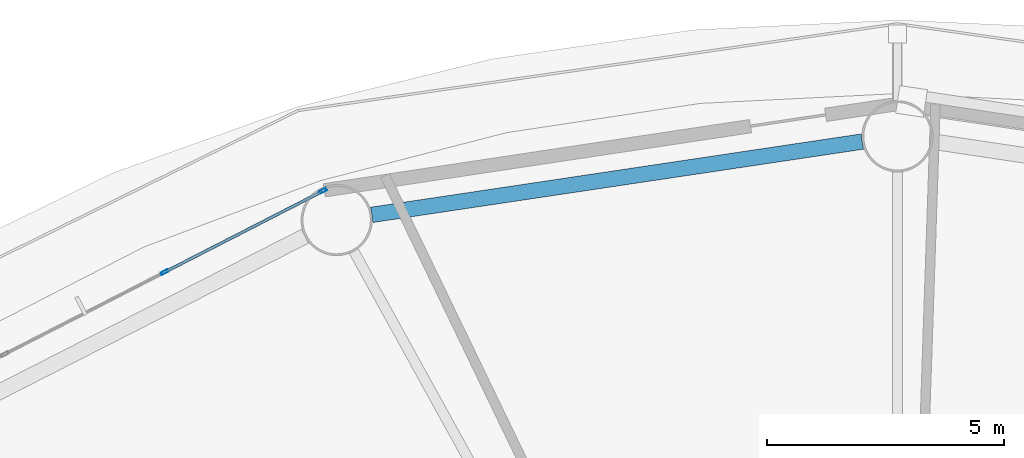
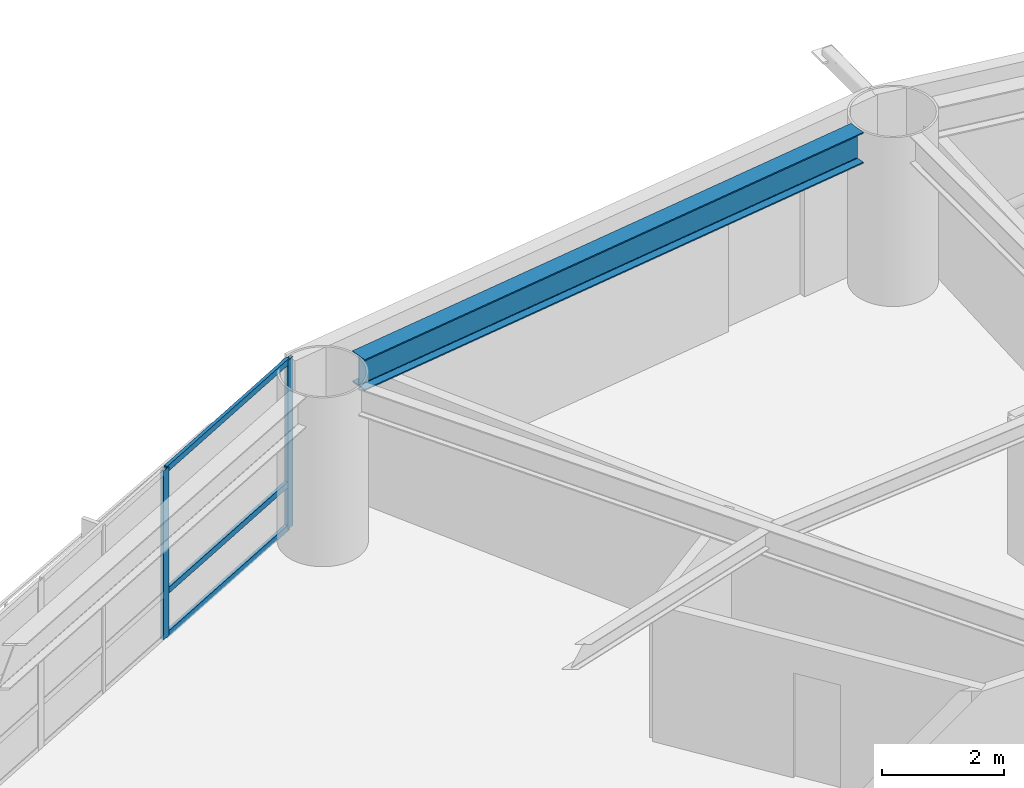
# One storey, part 12 of 26: 5 members, 1 beam, 1 element without a shape of its own.
"""IFC4 building model written with IfcOpenShell, lengths in metres."""

from ifc_helpers import new_model, si_unit, direction, frame, origin, origin_2d, place, context, subcontext, project, spatial, hollow_rectangle, i_section, extrude, material, layer, layer_set, material_profile, profile_set, type_object, element, aggregate, save


model = new_model("IFC4")

# Units and contexts
model_context = context("Model", 3, precision=1e-05, world=origin(), true_north=direction((0.0, 1.0)))
body_context = subcontext(model_context, "Body", "Model", "MODEL_VIEW")
ifc_project = project(units=[si_unit("LENGTHUNIT", "METRE"), si_unit("AREAUNIT", "SQUARE_METRE"), si_unit("VOLUMEUNIT", "CUBIC_METRE"), si_unit("PLANEANGLEUNIT", "RADIAN"), si_unit("MASSUNIT", "GRAM", prefix="KILO")], contexts=[model_context])

# Site, building, storey
site_placement = place(None, origin())
site = spatial("IfcSite", under=ifc_project, at=site_placement, CompositionType="ELEMENT")
building_placement = place(site_placement, origin())
building = spatial("IfcBuilding", under=site, at=building_placement, Name="Sarneth Arch Tower", CompositionType="ELEMENT")
storey_placement = place(building_placement, frame((0.0, 0.0, 35.39990234375)))
storey = spatial("IfcBuildingStorey", under=building, at=storey_placement, Name="L07", CompositionType="ELEMENT", Elevation=35.39990234375)

# Beam
ifc_material_1 = material(Name="Steel S355", Category="steel")
ifc_material_profile_1 = material_profile(ifc_material_1, i_section(OverallWidth=0.326904296875, OverallDepth=0.6220703125, WebThickness=0.015380859375, FlangeThickness=0.0244140625, FilletRadius=0.01904296875, at=origin_2d()), Name="W610x195")
ifc_profile_set_1 = profile_set([ifc_material_profile_1], Name="Steel S355")
beam_type = type_object("IfcBeamType", Name="BM-SPAN-610A", PredefinedType="SPANDREL", material=ifc_profile_set_1)
beam_placement = place(storey_placement, frame((47.25830078125, 65.089111328125, 3.069091796875), z_axis=(-0.989020169581, -0.147780594675, 0.0), x_axis=(0.147780594675, -0.989020169581, 0.0)))
element("IfcBeam", 1, at=beam_placement, inside=storey, type_object=beam_type, Name="L07 Perimeter spandrel beam 05", PredefinedType="SPANDREL", context=body_context, shape_type="SweptSolid", body=[
    extrude(i_section(OverallWidth=0.326904296875, OverallDepth=0.6220703125, WebThickness=0.015380859375, FlangeThickness=0.0244140625, FilletRadius=0.01904296875, at=origin_2d()), origin(), (0.0, 0.0, 1.0), 10.44921875),
])

# Curtain wall, members
ifc_material_2 = material(Name="Anodised aluminium Type AA25 and solar-control low-e laminated IGU", Category="aluminium")
ifc_layer = layer(ifc_material_2, 0.159912109375)
ifc_layer_set = layer_set([ifc_layer], Name="Anodised aluminium Type AA25 and solar-control low-e laminated IGU")
curtain_wall_type = type_object("IfcCurtainWallType", Name="CW-HOTEL-LOW", PredefinedType="NOTDEFINED", material=ifc_layer_set)
curtain_wall_placement = place(storey_placement, origin())
curtain_wall = element("IfcCurtainWall", 2, at=curtain_wall_placement, inside=storey, type_object=curtain_wall_type, Name="L07 Unitised curtain wall facet 06", PredefinedType="NOTDEFINED")
ifc_material_3 = material(Name="Anodised Aluminium 6063-T6", Category="aluminium")
ifc_material_profile_2 = material_profile(ifc_material_3, hollow_rectangle(XDim=0.06005859375, YDim=0.159912109375, WallThickness=0.00390625, at=origin_2d()), Name="AL-MULL-160x60x4")
ifc_profile_set_2 = profile_set([ifc_material_profile_2], Name="Anodised Aluminium 6063-T6")
member_type_1 = type_object("IfcMemberType", Name="CW-MULLION", PredefinedType="MULLION", material=ifc_profile_set_2)
member_1_placement = place(storey_placement, frame((35.8955078125, 64.048583984375, 0.0), z_axis=(0.0, 0.0, 1.0), x_axis=(0.456245197127, -0.889854100456, 0.0)))
member_1 = element("IfcMember", 3, at=member_1_placement, type_object=member_type_1, Name="CW-SYS-3 mullion 1", PredefinedType="MULLION", context=body_context, shape_type="SweptSolid", body=[
    extrude(hollow_rectangle(XDim=0.06005859375, YDim=0.159912109375, WallThickness=0.00390625, at=origin_2d()), origin(), (0.0, 0.0, 1.0), 3.380126953125),
])
member_2_placement = place(storey_placement, frame((32.556640625, 62.336669921875, 0.0), z_axis=(0.0, 0.0, 1.0), x_axis=(0.456245197127, -0.889854100456, 0.0)))
member_2 = element("IfcMember", 4, at=member_2_placement, type_object=member_type_1, Name="CW-SYS-3 mullion 2", PredefinedType="MULLION", context=body_context, shape_type="SweptSolid", body=[
    extrude(hollow_rectangle(XDim=0.06005859375, YDim=0.159912109375, WallThickness=0.00390625, at=origin_2d()), origin(), (0.0, 0.0, 1.0), 3.380126953125),
])
ifc_material_4 = material(Name="Anodised Aluminium 6063-T6", Category="aluminium")
ifc_material_profile_3 = material_profile(ifc_material_4, hollow_rectangle(XDim=0.06005859375, YDim=0.1201171875, WallThickness=0.00390625, at=origin_2d()), Name="AL-TRAN-120x60x4")
ifc_profile_set_3 = profile_set([ifc_material_profile_3], Name="Anodised Aluminium 6063-T6")
member_type_2 = type_object("IfcMemberType", Name="CW-TRANSOM", PredefinedType="USERDEFINED", material=ifc_profile_set_3)
member_3_placement = place(storey_placement, frame((35.86865234375, 64.034912109375, 0.030029296875), z_axis=(-0.889831232102, -0.456289796485, 0.0), x_axis=(0.456289796485, -0.889831232102, 0.0)))
member_3 = element("IfcMember", 5, at=member_3_placement, type_object=member_type_2, Name="CW-SYS-3 transom 1.1", ObjectType="TRANSOM", PredefinedType="USERDEFINED", context=body_context, shape_type="SweptSolid", body=[
    extrude(hollow_rectangle(XDim=0.06005859375, YDim=0.1201171875, WallThickness=0.00390625, at=origin_2d()), origin(), (0.0, 0.0, 1.0), 3.69189453125),
])
member_4_placement = place(storey_placement, frame((35.86865234375, 64.034912109375, 0.900146484375), z_axis=(-0.889831232102, -0.456289796485, 0.0), x_axis=(0.456289796485, -0.889831232102, 0.0)))
member_4 = element("IfcMember", 6, at=member_4_placement, type_object=member_type_2, Name="CW-SYS-3 transom 1.2", ObjectType="TRANSOM", PredefinedType="USERDEFINED", context=body_context, shape_type="SweptSolid", body=[
    extrude(hollow_rectangle(XDim=0.06005859375, YDim=0.1201171875, WallThickness=0.00390625, at=origin_2d()), origin(), (0.0, 0.0, 1.0), 3.69189453125),
])
member_5_placement = place(storey_placement, frame((35.86865234375, 64.034912109375, 3.35009765625), z_axis=(-0.889831232102, -0.456289796485, 0.0), x_axis=(0.456289796485, -0.889831232102, 0.0)))
member_5 = element("IfcMember", 7, at=member_5_placement, type_object=member_type_2, Name="CW-SYS-3 transom 1.3", ObjectType="TRANSOM", PredefinedType="USERDEFINED", context=body_context, shape_type="SweptSolid", body=[
    extrude(hollow_rectangle(XDim=0.06005859375, YDim=0.1201171875, WallThickness=0.00390625, at=origin_2d()), origin(), (0.0, 0.0, 1.0), 3.69189453125),
])
aggregate(curtain_wall, [member_1, member_2, member_3, member_4, member_5])

save(model, "model.ifc")
